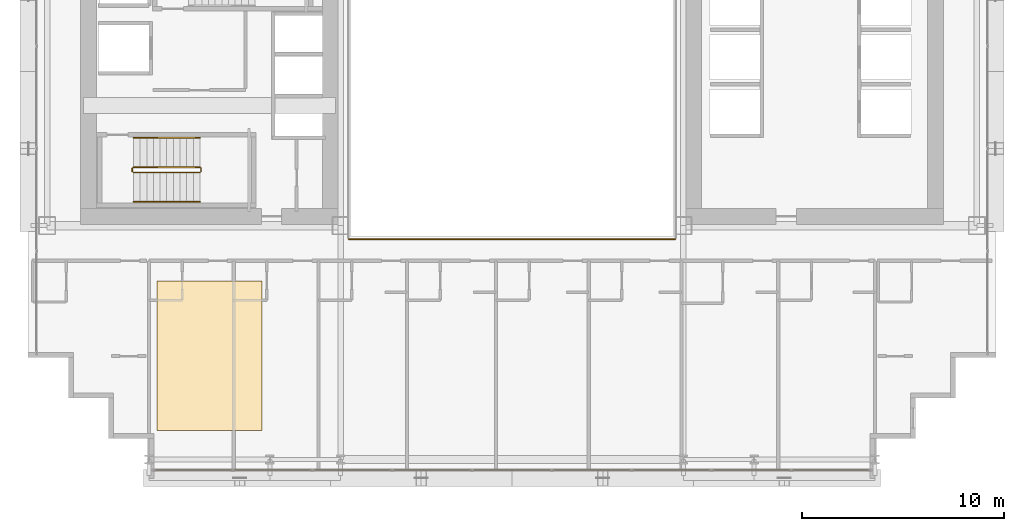
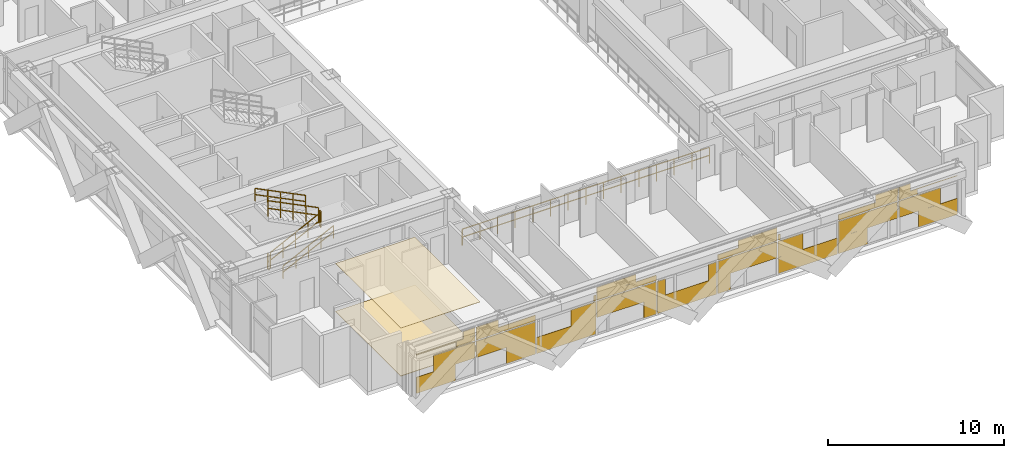
# One storey, part 33 of 36: 7 railings, 3 coverings.
"""IFC4 building model written with IfcOpenShell, lengths in metres."""

from ifc_helpers import new_model, si_unit, direction, frame, origin, origin_2d, place, context, subcontext, project, spatial, polyline, rectangle, outline, extrude, material, layer, layer_set, type_object, element, save


model = new_model("IFC4")

# Units and contexts
model_context = context("Model", 3, precision=1e-05, world=origin(), true_north=direction((0.0, 1.0)))
body_context = subcontext(model_context, "Body", "Model", "MODEL_VIEW")
ifc_project = project(units=[si_unit("LENGTHUNIT", "METRE"), si_unit("AREAUNIT", "SQUARE_METRE"), si_unit("VOLUMEUNIT", "CUBIC_METRE"), si_unit("PLANEANGLEUNIT", "RADIAN"), si_unit("MASSUNIT", "GRAM", prefix="KILO")], contexts=[model_context])

# Site, building, storey
site_placement = place(None, origin())
site = spatial("IfcSite", under=ifc_project, at=site_placement, CompositionType="ELEMENT")
building_placement = place(site_placement, origin())
building = spatial("IfcBuilding", under=site, at=building_placement, Name="Ocotamira Hotel", CompositionType="ELEMENT")
storey_placement = place(building_placement, frame((0.0, 0.0, 42.0)))
storey = spatial("IfcBuildingStorey", under=building, at=storey_placement, Name="L09", CompositionType="ELEMENT", Elevation=42.0)

# Coverings
ifc_material_1 = material(Name="Perforated acoustic gypsum ceiling board", Category="gypsum")
ifc_layer_1 = layer(ifc_material_1, 0.02490234375)
ifc_layer_set_1 = layer_set([ifc_layer_1], Name="Perforated acoustic gypsum ceiling board")
covering_type_1 = type_object("IfcCoveringType", Name="COV-CEIL-25", PredefinedType="CEILING", material=ifc_layer_set_1)
covering_1_placement = place(storey_placement, frame((0.0, 0.0, 3.324951171875)))
element("IfcCovering", 1, at=covering_1_placement, inside=storey, type_object=covering_type_1, Name="L09 Acoustic Ceiling", PredefinedType="CEILING", context=body_context, shape_type="SweptSolid", body=[
    extrude(outline(polyline([(14.39990234375, 4.39990234375), (19.60009765625, 4.39990234375), (19.60009765625, 11.800048828125), (14.39990234375, 11.800048828125), (14.39990234375, 4.39990234375)])), origin(), (0.0, 0.0, 1.0), 0.025146484375),
])
ifc_material_2 = material(Name="Honed desert travertine stone flooring", Category="masonry")
ifc_layer_2 = layer(ifc_material_2, 0.030029296875)
ifc_layer_set_2 = layer_set([ifc_layer_2], Name="Honed desert travertine stone flooring")
covering_type_2 = type_object("IfcCoveringType", Name="COV-FLOR-30", PredefinedType="FLOORING", material=ifc_layer_set_2)
covering_2_placement = place(storey_placement, origin())
element("IfcCovering", 2, at=covering_2_placement, inside=storey, type_object=covering_type_2, Name="L09 Honed Stone Floor Finish", PredefinedType="FLOORING", context=body_context, shape_type="SweptSolid", body=[
    extrude(outline(polyline([(14.39990234375, 4.39990234375), (19.60009765625, 4.39990234375), (19.60009765625, 11.800048828125), (14.39990234375, 11.800048828125), (14.39990234375, 4.39990234375)])), origin(), (0.0, 0.0, 1.0), 0.030029296875),
])
ifc_material_3 = material(Name="Insulated pale-metal aluminium spandrel panel", Category="aluminium")
ifc_layer_3 = layer(ifc_material_3, 0.044921875)
ifc_layer_set_3 = layer_set([ifc_layer_3], Name="Insulated pale-metal aluminium spandrel panel")
covering_type_3 = type_object("IfcCoveringType", Name="COV-INFILL-45", PredefinedType="CLADDING", material=ifc_layer_set_3)
covering_3_placement = place(storey_placement, origin())
element("IfcCovering", 3, at=covering_3_placement, inside=storey, type_object=covering_type_3, Name="L09 Curtain Wall Infill CW-2 CW-L09-S1", PredefinedType="CLADDING", context=body_context, shape_type="SweptSolid", body=[
    extrude(rectangle(XDim=2.556396484375, YDim=0.044921875, at=origin_2d()), frame((15.558837890625, 2.419921875, 0.07568359375), z_axis=(0.0, 0.0, 1.0), x_axis=(1.0, 0.0, 0.0)), (0.0, 0.0, 1.0), 1.11767578125),
    extrude(rectangle(XDim=2.7177734375, YDim=0.044921875, at=origin_2d()), frame((16.756103515625, 2.419921875, 1.1943359375), z_axis=(0.0, 0.0, 1.0), x_axis=(1.0, 0.0, 0.0)), (0.0, 0.0, 1.0), 1.11767578125),
    extrude(rectangle(XDim=3.834716796875, YDim=0.044921875, at=origin_2d()), frame((16.19775390625, 2.419921875, 2.7333984375), z_axis=(0.0, 0.0, 1.0), x_axis=(1.0, 0.0, 0.0)), (0.0, 0.0, 1.0), 0.0302734375),
    extrude(rectangle(XDim=1.2255859375, YDim=0.044921875, at=origin_2d()), frame((17.502197265625, 2.419921875, 2.38818359375), z_axis=(0.0, 0.0, 1.0), x_axis=(1.0, 0.0, 0.0)), (0.0, 0.0, 1.0), 0.344482421875),
    extrude(rectangle(XDim=0.754638671875, YDim=0.044921875, at=origin_2d()), frame((17.73779296875, 2.419921875, 2.7646484375), z_axis=(0.0, 0.0, 1.0), x_axis=(1.0, 0.0, 0.0)), (0.0, 0.0, 1.0), 0.509765625),
    extrude(rectangle(XDim=3.87451171875, YDim=0.044921875, at=origin_2d()), frame((20.13330078125, 2.419921875, 1.1943359375), z_axis=(0.0, 0.0, 1.0), x_axis=(1.0, 0.0, 0.0)), (0.0, 0.0, 1.0), 1.11767578125),
    extrude(rectangle(XDim=1.90771484375, YDim=0.044921875, at=origin_2d()), frame((21.11669921875, 2.419921875, 0.07568359375), z_axis=(0.0, 0.0, 1.0), x_axis=(1.0, 0.0, 0.0)), (0.0, 0.0, 1.0), 1.11767578125),
    extrude(rectangle(XDim=3.87451171875, YDim=0.044921875, at=origin_2d()), frame((20.13330078125, 2.419921875, 2.38818359375), z_axis=(0.0, 0.0, 1.0), x_axis=(1.0, 0.0, 0.0)), (0.0, 0.0, 1.0), 0.375732421875),
    extrude(rectangle(XDim=1.443603515625, YDim=0.044921875, at=origin_2d()), frame((18.917724609375, 2.419921875, 2.7646484375), z_axis=(0.0, 0.0, 1.0), x_axis=(1.0, 0.0, 0.0)), (0.0, 0.0, 1.0), 0.509765625),
    extrude(rectangle(XDim=3.87451171875, YDim=0.044921875, at=origin_2d()), frame((24.0888671875, 2.419921875, 0.07568359375), z_axis=(0.0, 0.0, 1.0), x_axis=(1.0, 0.0, 0.0)), (0.0, 0.0, 1.0), 1.11767578125),
    extrude(rectangle(XDim=1.62890625, YDim=0.044921875, at=origin_2d()), frame((25.2119140625, 2.419921875, 1.1943359375), z_axis=(0.0, 0.0, 1.0), x_axis=(1.0, 0.0, 0.0)), (0.0, 0.0, 1.0), 1.11767578125),
    extrude(rectangle(XDim=0.13671875, YDim=0.044921875, at=origin_2d()), frame((25.957763671875, 2.419921875, 2.38818359375), z_axis=(0.0, 0.0, 1.0), x_axis=(1.0, 0.0, 0.0)), (0.0, 0.0, 1.0), 0.375732421875),
    extrude(rectangle(XDim=3.87451171875, YDim=0.044921875, at=origin_2d()), frame((28.04443359375, 2.419921875, 1.1943359375), z_axis=(0.0, 0.0, 1.0), x_axis=(1.0, 0.0, 0.0)), (0.0, 0.0, 1.0), 1.11767578125),
    extrude(rectangle(XDim=0.81884765625, YDim=0.044921875, at=origin_2d()), frame((29.572265625, 2.419921875, 0.07568359375), z_axis=(0.0, 0.0, 1.0), x_axis=(1.0, 0.0, 0.0)), (0.0, 0.0, 1.0), 1.11767578125),
    extrude(rectangle(XDim=3.87451171875, YDim=0.044921875, at=origin_2d()), frame((28.04443359375, 2.419921875, 2.38818359375), z_axis=(0.0, 0.0, 1.0), x_axis=(1.0, 0.0, 0.0)), (0.0, 0.0, 1.0), 0.375732421875),
    extrude(rectangle(XDim=2.532470703125, YDim=0.044921875, at=origin_2d()), frame((27.373291015625, 2.419921875, 2.7646484375), z_axis=(0.0, 0.0, 1.0), x_axis=(1.0, 0.0, 0.0)), (0.0, 0.0, 1.0), 0.509765625),
    extrude(rectangle(XDim=3.87451171875, YDim=0.044921875, at=origin_2d()), frame((32.0, 2.419921875, 0.07568359375), z_axis=(0.0, 0.0, 1.0), x_axis=(1.0, 0.0, 0.0)), (0.0, 0.0, 1.0), 1.11767578125),
    extrude(rectangle(XDim=0.539794921875, YDim=0.044921875, at=origin_2d()), frame((30.332763671875, 2.419921875, 1.1943359375), z_axis=(0.0, 0.0, 1.0), x_axis=(1.0, 0.0, 0.0)), (0.0, 0.0, 1.0), 1.11767578125),
    extrude(rectangle(XDim=0.539794921875, YDim=0.044921875, at=origin_2d()), frame((33.667236328125, 2.419921875, 1.1943359375), z_axis=(0.0, 0.0, 1.0), x_axis=(1.0, 0.0, 0.0)), (0.0, 0.0, 1.0), 1.11767578125),
    extrude(rectangle(XDim=0.81884765625, YDim=0.044921875, at=origin_2d()), frame((34.427734375, 2.419921875, 0.07568359375), z_axis=(0.0, 0.0, 1.0), x_axis=(1.0, 0.0, 0.0)), (0.0, 0.0, 1.0), 1.11767578125),
    extrude(rectangle(XDim=3.87451171875, YDim=0.044921875, at=origin_2d()), frame((35.95556640625, 2.419921875, 1.1943359375), z_axis=(0.0, 0.0, 1.0), x_axis=(1.0, 0.0, 0.0)), (0.0, 0.0, 1.0), 1.11767578125),
    extrude(rectangle(XDim=3.87451171875, YDim=0.044921875, at=origin_2d()), frame((35.95556640625, 2.419921875, 2.38818359375), z_axis=(0.0, 0.0, 1.0), x_axis=(1.0, 0.0, 0.0)), (0.0, 0.0, 1.0), 0.375732421875),
    extrude(rectangle(XDim=2.532470703125, YDim=0.044921875, at=origin_2d()), frame((36.626708984375, 2.419921875, 2.7646484375), z_axis=(0.0, 0.0, 1.0), x_axis=(1.0, 0.0, 0.0)), (0.0, 0.0, 1.0), 0.509765625),
    extrude(rectangle(XDim=3.87451171875, YDim=0.044921875, at=origin_2d()), frame((39.9111328125, 2.419921875, 0.07568359375), z_axis=(0.0, 0.0, 1.0), x_axis=(1.0, 0.0, 0.0)), (0.0, 0.0, 1.0), 1.11767578125),
    extrude(rectangle(XDim=1.62890625, YDim=0.044921875, at=origin_2d()), frame((38.7880859375, 2.419921875, 1.1943359375), z_axis=(0.0, 0.0, 1.0), x_axis=(1.0, 0.0, 0.0)), (0.0, 0.0, 1.0), 1.11767578125),
    extrude(rectangle(XDim=0.13671875, YDim=0.044921875, at=origin_2d()), frame((38.042236328125, 2.419921875, 2.38818359375), z_axis=(0.0, 0.0, 1.0), x_axis=(1.0, 0.0, 0.0)), (0.0, 0.0, 1.0), 0.375732421875),
    extrude(rectangle(XDim=1.90771484375, YDim=0.044921875, at=origin_2d()), frame((42.88330078125, 2.419921875, 0.07568359375), z_axis=(0.0, 0.0, 1.0), x_axis=(1.0, 0.0, 0.0)), (0.0, 0.0, 1.0), 1.11767578125),
    extrude(rectangle(XDim=3.87451171875, YDim=0.044921875, at=origin_2d()), frame((43.86669921875, 2.419921875, 1.1943359375), z_axis=(0.0, 0.0, 1.0), x_axis=(1.0, 0.0, 0.0)), (0.0, 0.0, 1.0), 1.11767578125),
    extrude(rectangle(XDim=3.87451171875, YDim=0.044921875, at=origin_2d()), frame((43.86669921875, 2.419921875, 2.38818359375), z_axis=(0.0, 0.0, 1.0), x_axis=(1.0, 0.0, 0.0)), (0.0, 0.0, 1.0), 0.375732421875),
    extrude(rectangle(XDim=1.443603515625, YDim=0.044921875, at=origin_2d()), frame((45.082275390625, 2.419921875, 2.7646484375), z_axis=(0.0, 0.0, 1.0), x_axis=(1.0, 0.0, 0.0)), (0.0, 0.0, 1.0), 0.509765625),
    extrude(rectangle(XDim=2.7177734375, YDim=0.044921875, at=origin_2d()), frame((47.243896484375, 2.419921875, 1.1943359375), z_axis=(0.0, 0.0, 1.0), x_axis=(1.0, 0.0, 0.0)), (0.0, 0.0, 1.0), 1.11767578125),
    extrude(rectangle(XDim=2.556396484375, YDim=0.044921875, at=origin_2d()), frame((48.441162109375, 2.419921875, 0.07568359375), z_axis=(0.0, 0.0, 1.0), x_axis=(1.0, 0.0, 0.0)), (0.0, 0.0, 1.0), 1.11767578125),
    extrude(rectangle(XDim=1.2255859375, YDim=0.044921875, at=origin_2d()), frame((46.497802734375, 2.419921875, 2.38818359375), z_axis=(0.0, 0.0, 1.0), x_axis=(1.0, 0.0, 0.0)), (0.0, 0.0, 1.0), 0.344482421875),
    extrude(rectangle(XDim=3.834716796875, YDim=0.044921875, at=origin_2d()), frame((47.80224609375, 2.419921875, 2.7333984375), z_axis=(0.0, 0.0, 1.0), x_axis=(1.0, 0.0, 0.0)), (0.0, 0.0, 1.0), 0.0302734375),
    extrude(rectangle(XDim=0.754638671875, YDim=0.044921875, at=origin_2d()), frame((46.26220703125, 2.419921875, 2.7646484375), z_axis=(0.0, 0.0, 1.0), x_axis=(1.0, 0.0, 0.0)), (0.0, 0.0, 1.0), 0.509765625),
])

# Railings
ifc_material_4 = material(Name="Painted steel stair guardrail", Category="steel")
railing_type_1 = type_object("IfcRailingType", Name="RL-EDGE-1150", PredefinedType="GUARDRAIL", material=ifc_material_4)
railing_1_placement = place(storey_placement, frame((23.89990234375, 13.8798828125, 0.0)))
element("IfcRailing", 4, at=railing_1_placement, inside=storey, type_object=railing_type_1, Name="L09 Central Atrium Edge Guardrail S", PredefinedType="GUARDRAIL", context=body_context, shape_type="SweptSolid", body=[
    extrude(rectangle(XDim=0.048095703125, YDim=0.048095703125, at=origin_2d()), frame((0.0, 0.0, 1.1259765625), z_axis=(1.0, 0.0, 0.0), x_axis=(0.0, 1.0, 0.0)), (0.0, 0.0, 1.0), 16.2001953125),
    extrude(rectangle(XDim=0.048095703125, YDim=0.048095703125, at=origin_2d()), frame((0.0, 0.0, 0.574951171875), z_axis=(1.0, 0.0, 0.0), x_axis=(0.0, 1.0, 0.0)), (0.0, 0.0, 1.0), 16.2001953125),
    extrude(rectangle(XDim=0.0419921875, YDim=0.0419921875, at=origin_2d()), origin(), (0.0, 0.0, 1.0), 1.101806640625),
    extrude(rectangle(XDim=0.0419921875, YDim=0.0419921875, at=origin_2d()), frame((1.1572265625, 0.0, 0.0)), (0.0, 0.0, 1.0), 1.101806640625),
    extrude(rectangle(XDim=0.0419921875, YDim=0.0419921875, at=origin_2d()), frame((2.314208984375, 0.0, 0.0)), (0.0, 0.0, 1.0), 1.101806640625),
    extrude(rectangle(XDim=0.0419921875, YDim=0.0419921875, at=origin_2d()), frame((3.471435546875, 0.0, 0.0)), (0.0, 0.0, 1.0), 1.101806640625),
    extrude(rectangle(XDim=0.0419921875, YDim=0.0419921875, at=origin_2d()), frame((4.628662109375, 0.0, 0.0)), (0.0, 0.0, 1.0), 1.101806640625),
    extrude(rectangle(XDim=0.0419921875, YDim=0.0419921875, at=origin_2d()), frame((5.785888671875, 0.0, 0.0)), (0.0, 0.0, 1.0), 1.101806640625),
    extrude(rectangle(XDim=0.0419921875, YDim=0.0419921875, at=origin_2d()), frame((6.94287109375, 0.0, 0.0)), (0.0, 0.0, 1.0), 1.101806640625),
    extrude(rectangle(XDim=0.0419921875, YDim=0.0419921875, at=origin_2d()), frame((8.10009765625, 0.0, 0.0)), (0.0, 0.0, 1.0), 1.101806640625),
    extrude(rectangle(XDim=0.0419921875, YDim=0.0419921875, at=origin_2d()), frame((9.25732421875, 0.0, 0.0)), (0.0, 0.0, 1.0), 1.101806640625),
    extrude(rectangle(XDim=0.0419921875, YDim=0.0419921875, at=origin_2d()), frame((10.414306640625, 0.0, 0.0)), (0.0, 0.0, 1.0), 1.101806640625),
    extrude(rectangle(XDim=0.0419921875, YDim=0.0419921875, at=origin_2d()), frame((11.571533203125, 0.0, 0.0)), (0.0, 0.0, 1.0), 1.101806640625),
    extrude(rectangle(XDim=0.0419921875, YDim=0.0419921875, at=origin_2d()), frame((12.728759765625, 0.0, 0.0)), (0.0, 0.0, 1.0), 1.101806640625),
    extrude(rectangle(XDim=0.0419921875, YDim=0.0419921875, at=origin_2d()), frame((13.885986328125, 0.0, 0.0)), (0.0, 0.0, 1.0), 1.101806640625),
    extrude(rectangle(XDim=0.0419921875, YDim=0.0419921875, at=origin_2d()), frame((15.04296875, 0.0, 0.0)), (0.0, 0.0, 1.0), 1.101806640625),
    extrude(rectangle(XDim=0.0419921875, YDim=0.0419921875, at=origin_2d()), frame((16.2001953125, 0.0, 0.0)), (0.0, 0.0, 1.0), 1.101806640625),
])
ifc_material_5 = material(Name="Brushed stainless steel handrail", Category="steel")
railing_type_2 = type_object("IfcRailingType", Name="RL-HAND-900", PredefinedType="HANDRAIL", material=ifc_material_5)
railing_2_placement = place(storey_placement, frame((13.22998046875, 15.719970703125, 0.327392578125)))
element("IfcRailing", 5, at=railing_2_placement, inside=storey, type_object=railing_type_2, Name="L09 ST-1 stair handrail 1", PredefinedType="HANDRAIL", context=body_context, shape_type="SweptSolid", body=[
    extrude(rectangle(XDim=0.048095703125, YDim=0.048095703125, at=origin_2d()), frame((0.0, 0.0, 0.8759765625), z_axis=(0.895920123917, 0.0, 0.444215186098), x_axis=(0.0, 1.0, 0.0)), (0.0, 0.0, 1.0), 3.683349609375),
    extrude(rectangle(XDim=0.048095703125, YDim=0.048095703125, at=origin_2d()), frame((0.0, 0.0, 0.449951171875), z_axis=(0.895920123917, 0.0, 0.444215186098), x_axis=(0.0, 1.0, 0.0)), (0.0, 0.0, 1.0), 3.683349609375),
    extrude(rectangle(XDim=0.0419921875, YDim=0.0419921875, at=origin_2d()), origin(), (0.0, 0.0, 1.0), 0.851806640625),
    extrude(rectangle(XDim=0.0419921875, YDim=0.0419921875, at=origin_2d()), frame((0.824951171875, 0.0, 0.4091796875)), (0.0, 0.0, 1.0), 0.851806640625),
    extrude(rectangle(XDim=0.0419921875, YDim=0.0419921875, at=origin_2d()), frame((1.64990234375, 0.0, 0.818115234375)), (0.0, 0.0, 1.0), 0.851806640625),
    extrude(rectangle(XDim=0.0419921875, YDim=0.0419921875, at=origin_2d()), frame((2.47509765625, 0.0, 1.22705078125)), (0.0, 0.0, 1.0), 0.851806640625),
    extrude(rectangle(XDim=0.0419921875, YDim=0.0419921875, at=origin_2d()), frame((3.300048828125, 0.0, 1.63623046875)), (0.0, 0.0, 1.0), 0.851806640625),
])
railing_3_placement = place(storey_placement, frame((16.530029296875, 18.89990234375, 2.127197265625)))
element("IfcRailing", 6, at=railing_3_placement, inside=storey, type_object=railing_type_2, Name="L09 ST-1 stair handrail 2", PredefinedType="HANDRAIL", context=body_context, shape_type="SweptSolid", body=[
    extrude(rectangle(XDim=0.048095703125, YDim=0.048095703125, at=origin_2d()), frame((0.0, 0.0, 0.8759765625), z_axis=(-0.895893744519, 0.0, 0.4442683857), x_axis=(0.0, -1.0, 0.0)), (0.0, 0.0, 1.0), 3.68359375),
    extrude(rectangle(XDim=0.048095703125, YDim=0.048095703125, at=origin_2d()), frame((0.0, 0.0, 0.449951171875), z_axis=(-0.895893744519, 0.0, 0.4442683857), x_axis=(0.0, -1.0, 0.0)), (0.0, 0.0, 1.0), 3.68359375),
    extrude(rectangle(XDim=0.0419921875, YDim=0.0419921875, at=origin_2d()), origin(), (0.0, 0.0, 1.0), 0.851806640625),
    extrude(rectangle(XDim=0.0419921875, YDim=0.0419921875, at=origin_2d()), frame((-0.824951171875, 0.0, 0.4091796875)), (0.0, 0.0, 1.0), 0.851806640625),
    extrude(rectangle(XDim=0.0419921875, YDim=0.0419921875, at=origin_2d()), frame((-1.64990234375, 0.0, 0.818359375)), (0.0, 0.0, 1.0), 0.851806640625),
    extrude(rectangle(XDim=0.0419921875, YDim=0.0419921875, at=origin_2d()), frame((-2.47509765625, 0.0, 1.227294921875)), (0.0, 0.0, 1.0), 0.851806640625),
    extrude(rectangle(XDim=0.0419921875, YDim=0.0419921875, at=origin_2d()), frame((-3.300048828125, 0.0, 1.636474609375)), (0.0, 0.0, 1.0), 0.851806640625),
])
railing_type_3 = type_object("IfcRailingType", Name="RL-STAIR-1100", PredefinedType="GUARDRAIL", material=ifc_material_4)
railing_4_placement = place(storey_placement, frame((13.22998046875, 17.179931640625, 0.16357421875)))
element("IfcRailing", 7, at=railing_4_placement, inside=storey, type_object=railing_type_3, Name="L09 ST-1 stair guard 1", PredefinedType="GUARDRAIL", context=body_context, shape_type="SweptSolid", body=[
    extrude(rectangle(XDim=0.048095703125, YDim=0.048095703125, at=origin_2d()), frame((0.0, 0.0, 1.076171875), z_axis=(0.895893744519, 0.0, 0.4442683857), x_axis=(0.0, 1.0, 0.0)), (0.0, 0.0, 1.0), 3.68359375),
    extrude(rectangle(XDim=0.048095703125, YDim=0.048095703125, at=origin_2d()), frame((0.0, 0.0, 0.550048828125), z_axis=(0.895893744519, 0.0, 0.4442683857), x_axis=(0.0, 1.0, 0.0)), (0.0, 0.0, 1.0), 3.68359375),
    extrude(rectangle(XDim=0.0419921875, YDim=0.0419921875, at=origin_2d()), origin(), (0.0, 0.0, 1.0), 1.052001953125),
    extrude(rectangle(XDim=0.0419921875, YDim=0.0419921875, at=origin_2d()), frame((0.824951171875, 0.0, 0.4091796875)), (0.0, 0.0, 1.0), 1.052001953125),
    extrude(rectangle(XDim=0.0419921875, YDim=0.0419921875, at=origin_2d()), frame((1.64990234375, 0.0, 0.818359375)), (0.0, 0.0, 1.0), 1.052001953125),
    extrude(rectangle(XDim=0.0419921875, YDim=0.0419921875, at=origin_2d()), frame((2.47509765625, 0.0, 1.227294921875)), (0.0, 0.0, 1.0), 1.052001953125),
    extrude(rectangle(XDim=0.0419921875, YDim=0.0419921875, at=origin_2d()), frame((3.300048828125, 0.0, 1.636474609375)), (0.0, 0.0, 1.0), 1.052001953125),
])
railing_5_placement = place(storey_placement, frame((16.580078125, 17.22998046875, 1.800048828125)))
element("IfcRailing", 8, at=railing_5_placement, inside=storey, type_object=railing_type_3, Name="L09 ST-1 stair guard 2", PredefinedType="GUARDRAIL", context=body_context, shape_type="SweptSolid", body=[
    extrude(rectangle(XDim=0.048095703125, YDim=0.048095703125, at=origin_2d()), frame((0.0, 0.0, 1.076171875), z_axis=(0.0, 1.0, 0.0), x_axis=(-1.0, 0.0, 0.0)), (0.0, 0.0, 1.0), 0.159912109375),
    extrude(rectangle(XDim=0.048095703125, YDim=0.048095703125, at=origin_2d()), frame((0.0, 0.0, 0.550048828125), z_axis=(0.0, 1.0, 0.0), x_axis=(-1.0, 0.0, 0.0)), (0.0, 0.0, 1.0), 0.159912109375),
    extrude(rectangle(XDim=0.0419921875, YDim=0.0419921875, at=origin_2d()), origin(), (0.0, 0.0, 1.0), 1.052001953125),
    extrude(rectangle(XDim=0.0419921875, YDim=0.0419921875, at=origin_2d()), frame((0.0, 0.159912109375, 0.0)), (0.0, 0.0, 1.0), 1.052001953125),
])
railing_6_placement = place(storey_placement, frame((16.530029296875, 17.43994140625, 1.963623046875)))
element("IfcRailing", 9, at=railing_6_placement, inside=storey, type_object=railing_type_3, Name="L09 ST-1 stair guard 3", PredefinedType="GUARDRAIL", context=body_context, shape_type="SweptSolid", body=[
    extrude(rectangle(XDim=0.048095703125, YDim=0.048095703125, at=origin_2d()), frame((0.0, 0.0, 1.076171875), z_axis=(-0.895893744519, 0.0, 0.4442683857), x_axis=(0.0, -1.0, 0.0)), (0.0, 0.0, 1.0), 3.68359375),
    extrude(rectangle(XDim=0.048095703125, YDim=0.048095703125, at=origin_2d()), frame((0.0, 0.0, 0.550048828125), z_axis=(-0.895893744519, 0.0, 0.4442683857), x_axis=(0.0, -1.0, 0.0)), (0.0, 0.0, 1.0), 3.68359375),
    extrude(rectangle(XDim=0.0419921875, YDim=0.0419921875, at=origin_2d()), origin(), (0.0, 0.0, 1.0), 1.052001953125),
    extrude(rectangle(XDim=0.0419921875, YDim=0.0419921875, at=origin_2d()), frame((-0.824951171875, 0.0, 0.4091796875)), (0.0, 0.0, 1.0), 1.052001953125),
    extrude(rectangle(XDim=0.0419921875, YDim=0.0419921875, at=origin_2d()), frame((-1.64990234375, 0.0, 0.818359375)), (0.0, 0.0, 1.0), 1.052001953125),
    extrude(rectangle(XDim=0.0419921875, YDim=0.0419921875, at=origin_2d()), frame((-2.47509765625, 0.0, 1.227294921875)), (0.0, 0.0, 1.0), 1.052001953125),
    extrude(rectangle(XDim=0.0419921875, YDim=0.0419921875, at=origin_2d()), frame((-3.300048828125, 0.0, 1.636474609375)), (0.0, 0.0, 1.0), 1.052001953125),
])
railing_7_placement = place(storey_placement, frame((13.179931640625, 17.22998046875, 0.0)))
element("IfcRailing", 10, at=railing_7_placement, inside=storey, type_object=railing_type_3, Name="L09 ST-1 stair guard 4", PredefinedType="GUARDRAIL", context=body_context, shape_type="SweptSolid", body=[
    extrude(rectangle(XDim=0.048095703125, YDim=0.048095703125, at=origin_2d()), frame((0.0, 0.0, 1.076171875), z_axis=(0.0, 1.0, 0.0), x_axis=(-1.0, 0.0, 0.0)), (0.0, 0.0, 1.0), 0.159912109375),
    extrude(rectangle(XDim=0.048095703125, YDim=0.048095703125, at=origin_2d()), frame((0.0, 0.0, 0.550048828125), z_axis=(0.0, 1.0, 0.0), x_axis=(-1.0, 0.0, 0.0)), (0.0, 0.0, 1.0), 0.159912109375),
    extrude(rectangle(XDim=0.0419921875, YDim=0.0419921875, at=origin_2d()), origin(), (0.0, 0.0, 1.0), 1.052001953125),
    extrude(rectangle(XDim=0.0419921875, YDim=0.0419921875, at=origin_2d()), frame((0.0, 0.159912109375, 0.0)), (0.0, 0.0, 1.0), 1.052001953125),
])

save(model, "model.ifc")
